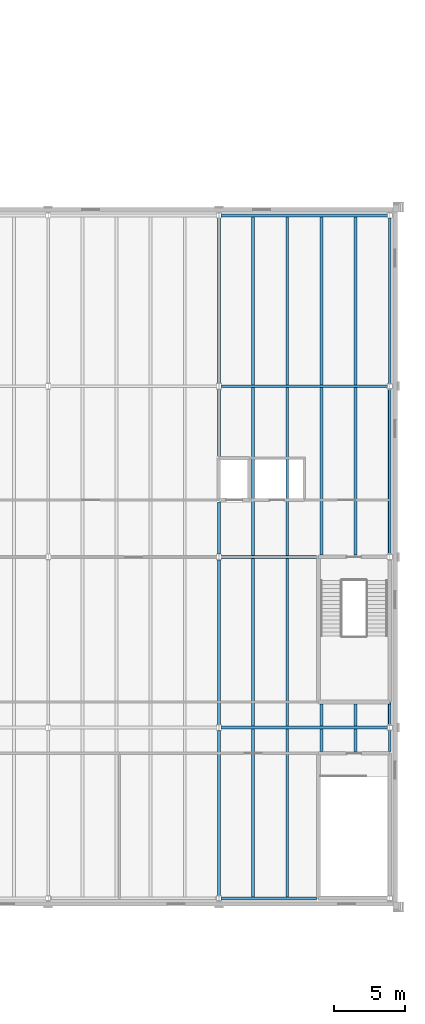
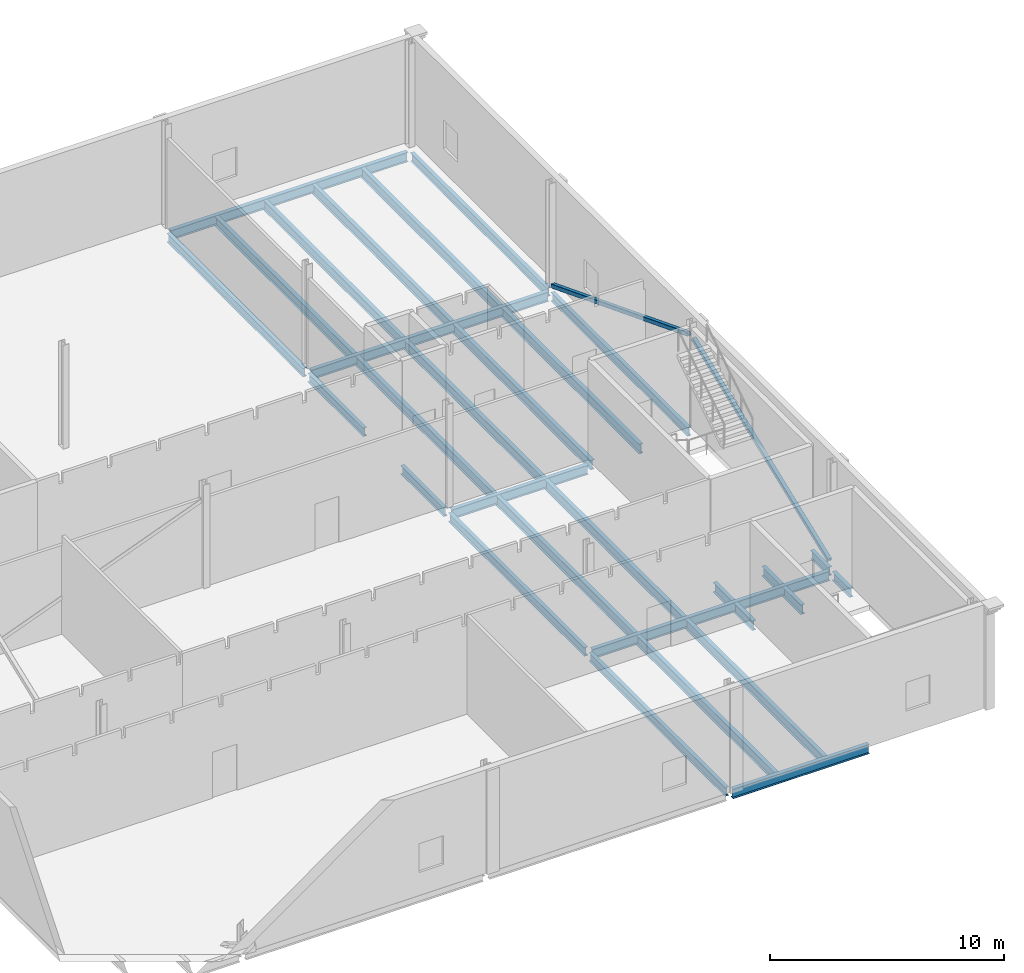
# One storey, part 233 of 321: 30 beams, 2 members.
"""IFC4 building model written with IfcOpenShell, lengths in metres."""

from ifc_helpers import new_model, si_unit, direction, frame, origin, origin_2d, place, context, subcontext, project, spatial, hollow_rectangle, i_section, extrude, material, material_profile, profile_set, type_object, element, save


model = new_model("IFC4")

# Units and contexts
model_context = context("Model", 3, precision=1e-05, world=origin(), true_north=direction((0.0, 1.0)))
body_context = subcontext(model_context, "Body", "Model", "MODEL_VIEW")
ifc_project = project(units=[si_unit("LENGTHUNIT", "METRE"), si_unit("AREAUNIT", "SQUARE_METRE"), si_unit("VOLUMEUNIT", "CUBIC_METRE"), si_unit("PLANEANGLEUNIT", "RADIAN"), si_unit("MASSUNIT", "GRAM", prefix="KILO")], contexts=[model_context])

# Site, building, storey
site_placement = place(None, origin())
site = spatial("IfcSite", under=ifc_project, at=site_placement, CompositionType="ELEMENT")
building_placement = place(site_placement, origin())
building = spatial("IfcBuilding", under=site, at=building_placement, Name="Ravi Spectrum Wholesale Market", CompositionType="ELEMENT")
storey_placement = place(building_placement, frame((0.0, 0.0, 10.800048828125)))
storey = spatial("IfcBuildingStorey", under=building, at=storey_placement, Name="L02", CompositionType="ELEMENT", Elevation=10.800048828125)

# Beams
ifc_material_1 = material(Name="Steel S355", Category="steel")
ifc_material_profile_1 = material_profile(ifc_material_1, i_section(OverallWidth=0.18994140625, OverallDepth=0.449951171875, WebThickness=0.009521484375, FlangeThickness=0.0146484375, at=origin_2d()))
ifc_profile_set_1 = profile_set([ifc_material_profile_1], Name="Steel S355")
beam_type_1 = type_object("IfcBeamType", Name="IPE 450 girder", PredefinedType="BEAM", material=ifc_profile_set_1)
beam_1_placement = place(storey_placement, frame((270.0, 18.169921875, -0.47509765625), z_axis=(0.0, 1.0, 0.0), x_axis=(-1.0, 0.0, 0.0)))
element("IfcBeam", 1, at=beam_1_placement, inside=storey, type_object=beam_type_1, Name="CS-BM-L02-059", PredefinedType="BEAM", context=body_context, shape_type="SweptSolid", body=[
    extrude(i_section(OverallWidth=0.18994140625, OverallDepth=0.449951171875, WebThickness=0.009521484375, FlangeThickness=0.0146484375, at=origin_2d()), origin(), (0.0, 0.0, 1.0), 11.630126953125),
])
beam_2_placement = place(storey_placement, frame((270.0, 30.199951171875, -0.47509765625), z_axis=(0.0, 1.0, 0.0), x_axis=(-1.0, 0.0, 0.0)))
element("IfcBeam", 2, at=beam_2_placement, inside=storey, type_object=beam_type_1, Name="CS-BM-L02-060", PredefinedType="BEAM", context=body_context, shape_type="SweptSolid", body=[
    extrude(i_section(OverallWidth=0.18994140625, OverallDepth=0.449951171875, WebThickness=0.009521484375, FlangeThickness=0.0146484375, at=origin_2d()), origin(), (0.0, 0.0, 1.0), 11.60009765625),
])
beam_3_placement = place(storey_placement, frame((270.0, 42.199951171875, -0.47509765625), z_axis=(0.0, 1.0, 0.0), x_axis=(-1.0, 0.0, 0.0)))
element("IfcBeam", 3, at=beam_3_placement, inside=storey, type_object=beam_type_1, Name="CS-BM-L02-061", PredefinedType="BEAM", context=body_context, shape_type="SweptSolid", body=[
    extrude(i_section(OverallWidth=0.18994140625, OverallDepth=0.449951171875, WebThickness=0.009521484375, FlangeThickness=0.0146484375, at=origin_2d()), origin(), (0.0, 0.0, 1.0), 3.675048828125),
])
beam_4_placement = place(storey_placement, frame((270.0, 49.074951171875, -0.47509765625), z_axis=(0.0, 1.0, 0.0), x_axis=(-1.0, 0.0, 0.0)))
element("IfcBeam", 4, at=beam_4_placement, inside=storey, type_object=beam_type_1, Name="CS-BM-L02-062", PredefinedType="BEAM", context=body_context, shape_type="SweptSolid", body=[
    extrude(i_section(OverallWidth=0.18994140625, OverallDepth=0.449951171875, WebThickness=0.009521484375, FlangeThickness=0.0146484375, at=origin_2d()), origin(), (0.0, 0.0, 1.0), 4.72509765625),
])
beam_5_placement = place(storey_placement, frame((270.0, 54.199951171875, -0.47509765625), z_axis=(0.0, 1.0, 0.0), x_axis=(-1.0, 0.0, 0.0)))
element("IfcBeam", 5, at=beam_5_placement, inside=storey, type_object=beam_type_1, Name="CS-BM-L02-063", PredefinedType="BEAM", context=body_context, shape_type="SweptSolid", body=[
    extrude(i_section(OverallWidth=0.18994140625, OverallDepth=0.449951171875, WebThickness=0.009521484375, FlangeThickness=0.0146484375, at=origin_2d()), origin(), (0.0, 0.0, 1.0), 11.630126953125),
])
for number, where, z_axis, x_axis, name in (
    (6, (282.0, 28.324951171875, -0.47509765625), (0.0, 1.0, 0.0), (-1.0, 0.0, 0.0), "CS-BM-L02-064"),
    (7, (282.0, 30.169921875, -0.47509765625), (0.0, 1.0, 0.0), (-1.0, 0.0, 0.0), "CS-BM-L02-065"),
):
    element("IfcBeam", number, at=place(storey_placement, frame(where, z_axis=z_axis, x_axis=x_axis)), inside=storey, type_object=beam_type_1, Name=name, PredefinedType="BEAM", context=body_context, shape_type="SweptSolid", body=[
        extrude(i_section(OverallWidth=0.18994140625, OverallDepth=0.449951171875, WebThickness=0.009521484375, FlangeThickness=0.0146484375, at=origin_2d()), origin(), (0.0, 0.0, 1.0), 1.505126953125),
    ])
for number, where, z_axis, x_axis, name in (
    (8, (282.0, 42.169921875, -0.47509765625), (0.0, 1.0, 0.0), (-1.0, 0.0, 0.0), "CS-BM-L02-066"),
    (9, (282.0, 54.169921875, -0.47509765625), (0.0, 1.0, 0.0), (-1.0, 0.0, 0.0), "CS-BM-L02-067"),
):
    element("IfcBeam", number, at=place(storey_placement, frame(where, z_axis=z_axis, x_axis=x_axis)), inside=storey, type_object=beam_type_1, Name=name, PredefinedType="BEAM", context=body_context, shape_type="SweptSolid", body=[
        extrude(i_section(OverallWidth=0.18994140625, OverallDepth=0.449951171875, WebThickness=0.009521484375, FlangeThickness=0.0146484375, at=origin_2d()), origin(), (0.0, 0.0, 1.0), 11.66015625),
    ])
ifc_material_2 = material(Name="Steel S355", Category="steel")
ifc_material_profile_2 = material_profile(ifc_material_2, i_section(OverallWidth=0.199951171875, OverallDepth=0.5, WebThickness=0.01025390625, FlangeThickness=0.01611328125, at=origin_2d()))
ifc_profile_set_2 = profile_set([ifc_material_profile_2], Name="Steel S355")
beam_type_2 = type_object("IfcBeamType", Name="IPE 500 beam", PredefinedType="BEAM", material=ifc_profile_set_2)
beam_6_placement = place(storey_placement, frame((270.14990234375, 18.0, -0.5), z_axis=(1.0, 0.0, 0.0), x_axis=(0.0, 1.0, 0.0)))
element("IfcBeam", 10, at=beam_6_placement, inside=storey, type_object=beam_type_2, Name="CS-BM-L02-007", PredefinedType="BEAM", context=body_context, shape_type="SweptSolid", body=[
    extrude(i_section(OverallWidth=0.199951171875, OverallDepth=0.5, WebThickness=0.01025390625, FlangeThickness=0.01611328125, at=origin_2d()), origin(), (0.0, 0.0, 1.0), 6.72509765625),
])
beam_7_placement = place(storey_placement, frame((270.14990234375, 30.0, -0.5), z_axis=(1.0, 0.0, 0.0), x_axis=(0.0, 1.0, 0.0)))
element("IfcBeam", 11, at=beam_7_placement, inside=storey, type_object=beam_type_2, Name="CS-BM-L02-014", PredefinedType="BEAM", context=body_context, shape_type="SweptSolid", body=[
    extrude(i_section(OverallWidth=0.199951171875, OverallDepth=0.5, WebThickness=0.01025390625, FlangeThickness=0.01611328125, at=origin_2d()), origin(), (0.0, 0.0, 1.0), 11.7001953125),
])
beam_8_placement = place(storey_placement, frame((270.14990234375, 42.0, -0.5), z_axis=(1.0, 0.0, 0.0), x_axis=(0.0, 1.0, 0.0)))
element("IfcBeam", 12, at=beam_8_placement, inside=storey, type_object=beam_type_2, Name="CS-BM-L02-021", PredefinedType="BEAM", context=body_context, shape_type="SweptSolid", body=[
    extrude(i_section(OverallWidth=0.199951171875, OverallDepth=0.5, WebThickness=0.01025390625, FlangeThickness=0.01611328125, at=origin_2d()), origin(), (0.0, 0.0, 1.0), 6.72509765625),
])
for number, where, z_axis, x_axis, name in (
    (13, (270.14990234375, 54.0, -0.5), (1.0, 0.0, 0.0), (0.0, 1.0, 0.0), "CS-BM-L02-028"),
    (14, (270.14990234375, 66.0, -0.5), (1.0, 0.0, 0.0), (0.0, 1.0, 0.0), "CS-BM-L02-035"),
):
    element("IfcBeam", number, at=place(storey_placement, frame(where, z_axis=z_axis, x_axis=x_axis)), inside=storey, type_object=beam_type_2, Name=name, PredefinedType="BEAM", context=body_context, shape_type="SweptSolid", body=[
        extrude(i_section(OverallWidth=0.199951171875, OverallDepth=0.5, WebThickness=0.01025390625, FlangeThickness=0.01611328125, at=origin_2d()), origin(), (0.0, 0.0, 1.0), 11.7001953125),
    ])
for number, where, z_axis, x_axis, name in (
    (15, (272.39990234375, 18.10009765625, -0.5), (0.0, 1.0, 0.0), (-1.0, 0.0, 0.0), "CS-BM-L02-162"),
    (16, (274.800048828125, 18.10009765625, -0.5), (0.0, 1.0, 0.0), (-1.0, 0.0, 0.0), "CS-BM-L02-163"),
):
    element("IfcBeam", number, at=place(storey_placement, frame(where, z_axis=z_axis, x_axis=x_axis)), inside=storey, type_object=beam_type_2, Name=name, PredefinedType="BEAM", context=body_context, shape_type="SweptSolid", body=[
        extrude(i_section(OverallWidth=0.199951171875, OverallDepth=0.5, WebThickness=0.01025390625, FlangeThickness=0.01611328125, at=origin_2d()), origin(), (0.0, 0.0, 1.0), 11.7998046875),
    ])
for number, where, z_axis, x_axis, name in (
    (17, (277.199951171875, 28.324951171875, -0.5), (0.0, 1.0, 0.0), (-1.0, 0.0, 0.0), "CS-BM-L02-164"),
    (18, (279.60009765625, 28.324951171875, -0.5), (0.0, 1.0, 0.0), (-1.0, 0.0, 0.0), "CS-BM-L02-165"),
):
    element("IfcBeam", number, at=place(storey_placement, frame(where, z_axis=z_axis, x_axis=x_axis)), inside=storey, type_object=beam_type_2, Name=name, PredefinedType="BEAM", context=body_context, shape_type="SweptSolid", body=[
        extrude(i_section(OverallWidth=0.199951171875, OverallDepth=0.5, WebThickness=0.01025390625, FlangeThickness=0.01611328125, at=origin_2d()), origin(), (0.0, 0.0, 1.0), 1.574951171875),
    ])
for number, where, z_axis, x_axis, name in (
    (19, (272.39990234375, 30.10009765625, -0.5), (0.0, 1.0, 0.0), (-1.0, 0.0, 0.0), "CS-BM-L02-166"),
    (20, (274.800048828125, 30.10009765625, -0.5), (0.0, 1.0, 0.0), (-1.0, 0.0, 0.0), "CS-BM-L02-167"),
):
    element("IfcBeam", number, at=place(storey_placement, frame(where, z_axis=z_axis, x_axis=x_axis)), inside=storey, type_object=beam_type_2, Name=name, PredefinedType="BEAM", context=body_context, shape_type="SweptSolid", body=[
        extrude(i_section(OverallWidth=0.199951171875, OverallDepth=0.5, WebThickness=0.01025390625, FlangeThickness=0.01611328125, at=origin_2d()), origin(), (0.0, 0.0, 1.0), 11.7998046875),
    ])
for number, where, z_axis, x_axis, name in (
    (21, (277.199951171875, 30.10009765625, -0.5), (0.0, 1.0, 0.0), (-1.0, 0.0, 0.0), "CS-BM-L02-168"),
    (22, (279.60009765625, 30.10009765625, -0.5), (0.0, 1.0, 0.0), (-1.0, 0.0, 0.0), "CS-BM-L02-169"),
):
    element("IfcBeam", number, at=place(storey_placement, frame(where, z_axis=z_axis, x_axis=x_axis)), inside=storey, type_object=beam_type_2, Name=name, PredefinedType="BEAM", context=body_context, shape_type="SweptSolid", body=[
        extrude(i_section(OverallWidth=0.199951171875, OverallDepth=0.5, WebThickness=0.01025390625, FlangeThickness=0.01611328125, at=origin_2d()), origin(), (0.0, 0.0, 1.0), 1.574951171875),
    ])
for number, where, z_axis, x_axis, name in (
    (23, (272.39990234375, 42.10009765625, -0.5), (0.0, 1.0, 0.0), (-1.0, 0.0, 0.0), "CS-BM-L02-170"),
    (24, (274.800048828125, 42.10009765625, -0.5), (0.0, 1.0, 0.0), (-1.0, 0.0, 0.0), "CS-BM-L02-172"),
):
    element("IfcBeam", number, at=place(storey_placement, frame(where, z_axis=z_axis, x_axis=x_axis)), inside=storey, type_object=beam_type_2, Name=name, PredefinedType="BEAM", context=body_context, shape_type="SweptSolid", body=[
        extrude(i_section(OverallWidth=0.199951171875, OverallDepth=0.5, WebThickness=0.01025390625, FlangeThickness=0.01611328125, at=origin_2d()), origin(), (0.0, 0.0, 1.0), 11.7998046875),
    ])
for number, where, z_axis, x_axis, name in (
    (25, (277.199951171875, 42.125, -0.5), (0.0, 1.0, 0.0), (-1.0, 0.0, 0.0), "CS-BM-L02-174"),
    (26, (279.60009765625, 42.125, -0.5), (0.0, 1.0, 0.0), (-1.0, 0.0, 0.0), "CS-BM-L02-175"),
):
    element("IfcBeam", number, at=place(storey_placement, frame(where, z_axis=z_axis, x_axis=x_axis)), inside=storey, type_object=beam_type_2, Name=name, PredefinedType="BEAM", context=body_context, shape_type="SweptSolid", body=[
        extrude(i_section(OverallWidth=0.199951171875, OverallDepth=0.5, WebThickness=0.01025390625, FlangeThickness=0.01611328125, at=origin_2d()), origin(), (0.0, 0.0, 1.0), 11.77490234375),
    ])
for number, where, z_axis, x_axis, name in (
    (27, (272.39990234375, 54.10009765625, -0.5), (0.0, 1.0, 0.0), (-1.0, 0.0, 0.0), "CS-BM-L02-176"),
    (28, (274.800048828125, 54.10009765625, -0.5), (0.0, 1.0, 0.0), (-1.0, 0.0, 0.0), "CS-BM-L02-177"),
    (29, (277.199951171875, 54.10009765625, -0.5), (0.0, 1.0, 0.0), (-1.0, 0.0, 0.0), "CS-BM-L02-178"),
    (30, (279.60009765625, 54.10009765625, -0.5), (0.0, 1.0, 0.0), (-1.0, 0.0, 0.0), "CS-BM-L02-179"),
):
    element("IfcBeam", number, at=place(storey_placement, frame(where, z_axis=z_axis, x_axis=x_axis)), inside=storey, type_object=beam_type_2, Name=name, PredefinedType="BEAM", context=body_context, shape_type="SweptSolid", body=[
        extrude(i_section(OverallWidth=0.199951171875, OverallDepth=0.5, WebThickness=0.01025390625, FlangeThickness=0.01611328125, at=origin_2d()), origin(), (0.0, 0.0, 1.0), 11.7998046875),
    ])

# Members
ifc_material_3 = material(Name="Steel S355", Category="steel")
ifc_material_profile_3 = material_profile(ifc_material_3, hollow_rectangle(XDim=0.199951171875, YDim=0.199951171875, WallThickness=0.008056640625, InnerFilletRadius=0.008056640625, OuterFilletRadius=0.01611328125, at=origin_2d()))
ifc_profile_set_3 = profile_set([ifc_material_profile_3], Name="Steel S355")
member_type = type_object("IfcMemberType", Name="SHS 200x200x8 brace", PredefinedType="BRACE", material=ifc_profile_set_3)
for number, where, z_axis, x_axis, name in (
    (31, (282.0, 30.206298828125, 0.093017578125), (0.0, 0.931801883882, 0.362967283916), (-1.0, 0.0, 0.0), "CS-MB-L02-011"),
    (32, (282.0, 42.206298828125, 4.606689453125), (0.0, 0.931801883882, -0.362967283916), (-1.0, 0.0, 0.0), "CS-MB-L02-012"),
):
    element("IfcMember", number, at=place(storey_placement, frame(where, z_axis=z_axis, x_axis=x_axis)), inside=storey, type_object=member_type, Name=name, PredefinedType="BRACE", context=body_context, shape_type="SweptSolid", body=[
        extrude(hollow_rectangle(XDim=0.199951171875, YDim=0.199951171875, WallThickness=0.008056640625, InnerFilletRadius=0.008056640625, OuterFilletRadius=0.01611328125, at=origin_2d()), origin(), (0.0, 0.0, 1.0), 12.435546875),
    ])

save(model, "model.ifc")
